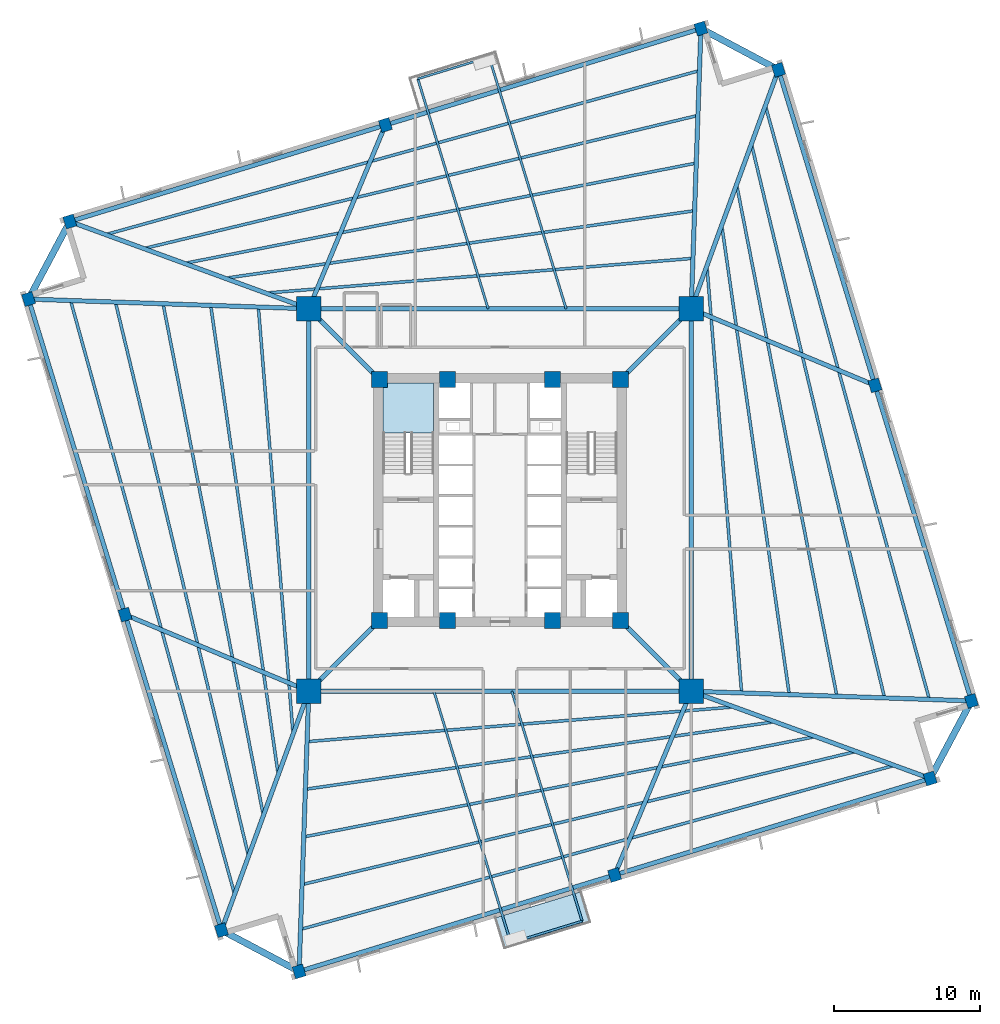
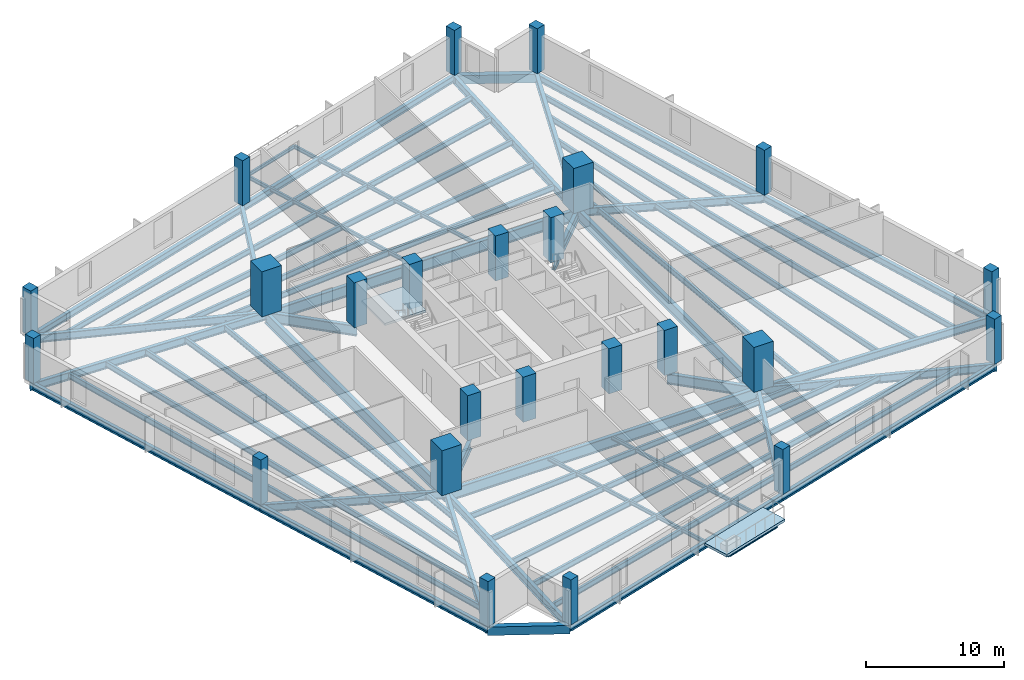
# One storey, part 1 of 8: 58 beams, 24 columns, 2 slabs, 1 element without a shape of its own.
"""IFC4 building model written with IfcOpenShell, lengths in metres."""

from ifc_helpers import new_model, si_unit, direction, frame, origin, origin_2d, place, context, subcontext, project, spatial, polyline, rectangle, i_section, outline, extrude, source, transform, mapped, material, layer, layer_set, material_profile, profile_set, type_object, element, aggregate, save


model = new_model("IFC4")

# Units and contexts
model_context = context("Model", 3, precision=1e-05, world=origin(), true_north=direction((0.0, 1.0)))
body_context = subcontext(model_context, "Body", "Model", "MODEL_VIEW")
ifc_project = project(units=[si_unit("LENGTHUNIT", "METRE"), si_unit("AREAUNIT", "SQUARE_METRE"), si_unit("VOLUMEUNIT", "CUBIC_METRE"), si_unit("PLANEANGLEUNIT", "RADIAN"), si_unit("MASSUNIT", "GRAM", prefix="KILO"), si_unit("THERMODYNAMICTEMPERATUREUNIT", "KELVIN")], contexts=[model_context])

# Site, building, storey
site_placement = place(None, origin())
site = spatial("IfcSite", under=ifc_project, at=site_placement, CompositionType="ELEMENT")
building_placement = place(site_placement, origin())
building = spatial("IfcBuilding", under=site, at=building_placement, Name="Kosmvard Interchange Tower", CompositionType="ELEMENT")
storey_placement = place(building_placement, frame((0.0, 0.0, 115.199951171875)))
storey = spatial("IfcBuildingStorey", under=building, at=storey_placement, Name="L27", CompositionType="ELEMENT", Elevation=115.199951171875)

# Columns
ifc_material_1 = material(Name="Concrete C80/95", Category="concrete")
ifc_material_profile_1 = material_profile(ifc_material_1, rectangle(XDim=1.10009765625, YDim=1.10009765625, at=origin_2d()), Name="CP 1100x1100")
ifc_profile_set_1 = profile_set([ifc_material_profile_1], Name="Concrete C80/95")
column_type_1 = type_object("IfcColumnType", Name="Core Boundary Pilaster 1100x1100 C80/95", PredefinedType="PILASTER", material=ifc_profile_set_1)
shared_shape_1 = source(origin(), body_context, "Body", "SweptSolid", [
    extrude(rectangle(XDim=1.10009765625, YDim=1.10009765625, at=origin_2d()), origin(), (0.0, 0.0, 1.0), 4.0),
])
for number, where, z_axis, x_axis, name in (
    (1, (-8.25, -8.25, 0.0), (0.0, 0.0, 1.0), (1.0, 0.0, 0.0), "L27 Core Pilaster CP1"),
    (2, (8.25, -8.25, 0.0), (0.0, 0.0, 1.0), (1.0, 0.0, 0.0), "L27 Core Pilaster CP2"),
    (3, (8.25, 8.25, 0.0), (0.0, 0.0, 1.0), (1.0, 0.0, 0.0), "L27 Core Pilaster CP3"),
    (4, (-8.25, 8.25, 0.0), (0.0, 0.0, 1.0), (1.0, 0.0, 0.0), "L27 Core Pilaster CP4"),
    (5, (-3.60009765625, -8.25, 0.0), (0.0, 0.0, 1.0), (1.0, 0.0, 0.0), "L27 Core Pilaster CP5"),
    (6, (3.60009765625, -8.25, 0.0), (0.0, 0.0, 1.0), (1.0, 0.0, 0.0), "L27 Core Pilaster CP6"),
    (7, (-3.60009765625, 8.25, 0.0), (0.0, 0.0, 1.0), (1.0, 0.0, 0.0), "L27 Core Pilaster CP7"),
    (8, (3.60009765625, 8.25, 0.0), (0.0, 0.0, 1.0), (1.0, 0.0, 0.0), "L27 Core Pilaster CP8"),
):
    element("IfcColumn", number, at=place(storey_placement, frame(where, z_axis=z_axis, x_axis=x_axis)), inside=storey, type_object=column_type_1, Name=name, PredefinedType="PILASTER", context=body_context, shape_type="MappedRepresentation", body=[
        mapped(shared_shape_1, transform((0.0, 0.0, 0.0), scale=1.0)),
    ])
ifc_material_2 = material(Name="Concrete C70/85", Category="concrete")
ifc_material_profile_2 = material_profile(ifc_material_2, rectangle(XDim=1.64990234375, YDim=1.64990234375, at=origin_2d()), Name="MC 1650x1650")
ifc_profile_set_2 = profile_set([ifc_material_profile_2], Name="Concrete C70/85")
column_type_2 = type_object("IfcColumnType", Name="Composite Mega-Column 1650x1650 C70/85", PredefinedType="COLUMN", material=ifc_profile_set_2)
shared_shape_2 = source(origin(), body_context, "Body", "SweptSolid", [
    extrude(rectangle(XDim=1.64990234375, YDim=1.64990234375, at=origin_2d()), origin(), (0.0, 0.0, 1.0), 4.0),
])
for number, where, z_axis, x_axis, name in (
    (9, (-13.0810546875, -13.0810546875, 0.0), (0.0, 0.0, 1.0), (1.0, 0.0, 0.0), "L27 Corner Mega-Column MC1"),
    (10, (13.0810546875, -13.0810546875, 0.0), (0.0, 0.0, 1.0), (1.0, 0.0, 0.0), "L27 Corner Mega-Column MC2"),
    (11, (13.0810546875, 13.0810546875, 0.0), (0.0, 0.0, 1.0), (1.0, 0.0, 0.0), "L27 Corner Mega-Column MC3"),
    (12, (-13.0810546875, 13.0810546875, 0.0), (0.0, 0.0, 1.0), (1.0, 0.0, 0.0), "L27 Corner Mega-Column MC4"),
):
    element("IfcColumn", number, at=place(storey_placement, frame(where, z_axis=z_axis, x_axis=x_axis)), inside=storey, type_object=column_type_2, Name=name, PredefinedType="COLUMN", context=body_context, shape_type="MappedRepresentation", body=[
        mapped(shared_shape_2, transform((0.0, 0.0, 0.0), scale=1.0)),
    ])
ifc_material_3 = material(Name="Concrete C60/75", Category="concrete")
ifc_material_profile_3 = material_profile(ifc_material_3, rectangle(XDim=0.75, YDim=0.85009765625, at=origin_2d()), Name="TC 850x750")
ifc_profile_set_3 = profile_set([ifc_material_profile_3], Name="Concrete C60/75")
column_type_3 = type_object("IfcColumnType", Name="Zone 2 Perimeter Pier Column 850x750 C60/75", PredefinedType="COLUMN", material=ifc_profile_set_3)
shared_shape_3 = source(origin(), body_context, "Body", "SweptSolid", [
    extrude(rectangle(XDim=0.75, YDim=0.85009765625, at=origin_2d()), origin(), (0.0, 0.0, 1.0), 4.0),
])
for number, where, z_axis, x_axis, name in (
    (13, (-13.74560546875, -32.253173828125, 0.0), (0.0, 0.0, 1.0), (0.956304755963, 0.292371704723, 0.0), "L27 Perimeter Pier Column TC-S1"),
    (14, (7.8427734375, -25.65283203125, 0.0), (0.0, 0.0, 1.0), (0.956304755963, 0.292371704723, 0.0), "L27 Perimeter Pier Column TC-S2"),
    (15, (29.431396484375, -19.052490234375, 0.0), (0.0, 0.0, 1.0), (0.956304755963, 0.292371704723, 0.0), "L27 Perimeter Pier Column TC-S3"),
    (16, (32.253173828125, -13.74560546875, 0.0), (0.0, 0.0, 1.0), (0.956304755963, 0.292371704723, 0.0), "L27 Perimeter Pier Column TC-E1"),
    (17, (25.65283203125, 7.8427734375, 0.0), (0.0, 0.0, 1.0), (0.956304755963, 0.292371704723, 0.0), "L27 Perimeter Pier Column TC-E2"),
    (18, (19.052490234375, 29.431396484375, 0.0), (0.0, 0.0, 1.0), (0.956304755963, 0.292371704723, 0.0), "L27 Perimeter Pier Column TC-E3"),
    (19, (13.74560546875, 32.253173828125, 0.0), (0.0, 0.0, 1.0), (0.956304755963, 0.292371704723, 0.0), "L27 Perimeter Pier Column TC-N1"),
    (20, (-7.8427734375, 25.65283203125, 0.0), (0.0, 0.0, 1.0), (0.956304755963, 0.292371704723, 0.0), "L27 Perimeter Pier Column TC-N2"),
    (21, (-29.431396484375, 19.052490234375, 0.0), (0.0, 0.0, 1.0), (0.956304755963, 0.292371704723, 0.0), "L27 Perimeter Pier Column TC-N3"),
    (22, (-32.253173828125, 13.74560546875, 0.0), (0.0, 0.0, 1.0), (0.956304755963, 0.292371704723, 0.0), "L27 Perimeter Pier Column TC-W1"),
    (23, (-25.65283203125, -7.8427734375, 0.0), (0.0, 0.0, 1.0), (0.956304755963, 0.292371704723, 0.0), "L27 Perimeter Pier Column TC-W2"),
    (24, (-19.052490234375, -29.431396484375, 0.0), (0.0, 0.0, 1.0), (0.956304755963, 0.292371704723, 0.0), "L27 Perimeter Pier Column TC-W3"),
):
    element("IfcColumn", number, at=place(storey_placement, frame(where, z_axis=z_axis, x_axis=x_axis)), inside=storey, type_object=column_type_3, Name=name, PredefinedType="COLUMN", context=body_context, shape_type="MappedRepresentation", body=[
        mapped(shared_shape_3, transform((0.0, 0.0, 0.0), scale=1.0)),
    ])

# Beams
ifc_material_4 = material(Name="Steel S460", Category="steel")
ifc_material_profile_4 = material_profile(ifc_material_4, i_section(OverallWidth=0.30810546875, OverallDepth=0.909912109375, WebThickness=0.02099609375, FlangeThickness=0.0400390625, FilletRadius=0.027099609375, at=origin_2d()), Name="HEM 900")
ifc_profile_set_4 = profile_set([ifc_material_profile_4], Name="Steel S460")
beam_type_1 = type_object("IfcBeamType", Name="Primary Mega-Frame Girder HEM 900 S460", PredefinedType="BEAM", material=ifc_profile_set_4)
shared_shape_4 = source(origin(), body_context, "Body", "SweptSolid", [
    extrude(i_section(OverallWidth=0.30810546875, OverallDepth=0.909912109375, WebThickness=0.02099609375, FlangeThickness=0.0400390625, FilletRadius=0.027099609375, at=origin_2d()), origin(), (0.0, 0.0, 1.0), 6.83203125),
])
for number, where, z_axis, x_axis, name in (
    (25, (-8.25, -8.25, -0.71484375), (-0.707106781187, -0.707106781187, 0.0), (0.707106781187, -0.707106781187, 0.0), "L27 Radial Mega-Frame Girder 1"),
    (26, (8.25, -8.25, -0.71484375), (0.707106781187, -0.707106781187, 0.0), (0.707106781187, 0.707106781187, 0.0), "L27 Radial Mega-Frame Girder 2"),
    (27, (8.25, 8.25, -0.71484375), (0.707106781187, 0.707106781187, 0.0), (-0.707106781187, 0.707106781187, 0.0), "L27 Radial Mega-Frame Girder 3"),
    (28, (-8.25, 8.25, -0.71484375), (-0.707106781187, 0.707106781187, 0.0), (-0.707106781187, -0.707106781187, 0.0), "L27 Radial Mega-Frame Girder 4"),
):
    element("IfcBeam", number, at=place(storey_placement, frame(where, z_axis=z_axis, x_axis=x_axis)), inside=storey, type_object=beam_type_1, Name=name, PredefinedType="BEAM", context=body_context, shape_type="MappedRepresentation", body=[
        mapped(shared_shape_4, transform((0.0, 0.0, 0.0), scale=1.0)),
    ])
ifc_material_profile_5 = material_profile(ifc_material_4, i_section(OverallWidth=0.30908203125, OverallDepth=1.008056640625, WebThickness=0.02099609375, FlangeThickness=0.0400390625, FilletRadius=0.030029296875, at=origin_2d()), Name="HEM 1000")
ifc_profile_set_5 = profile_set([ifc_material_profile_5], Name="Steel S460")
beam_type_2 = type_object("IfcBeamType", Name="Mega-Column Ring Girder HEM 1000 S460", PredefinedType="BEAM", material=ifc_profile_set_5)
shared_shape_5 = source(origin(), body_context, "Body", "SweptSolid", [
    extrude(i_section(OverallWidth=0.30908203125, OverallDepth=1.008056640625, WebThickness=0.02099609375, FlangeThickness=0.0400390625, FilletRadius=0.030029296875, at=origin_2d()), origin(), (0.0, 0.0, 1.0), 26.162109375),
])
for number, where, z_axis, x_axis, name in (
    (29, (-13.0810546875, -13.0810546875, -0.763916015625), (1.0, 0.0, 0.0), (0.0, 1.0, 0.0), "L27 Mega-Column Ring Girder 1"),
    (30, (13.0810546875, -13.0810546875, -0.763916015625), (0.0, 1.0, 0.0), (-1.0, 0.0, 0.0), "L27 Mega-Column Ring Girder 2"),
    (31, (13.0810546875, 13.0810546875, -0.763916015625), (-1.0, 0.0, 0.0), (0.0, -1.0, 0.0), "L27 Mega-Column Ring Girder 3"),
    (32, (-13.0810546875, 13.0810546875, -0.763916015625), (0.0, -1.0, 0.0), (1.0, 0.0, 0.0), "L27 Mega-Column Ring Girder 4"),
):
    element("IfcBeam", number, at=place(storey_placement, frame(where, z_axis=z_axis, x_axis=x_axis)), inside=storey, type_object=beam_type_2, Name=name, PredefinedType="BEAM", context=body_context, shape_type="MappedRepresentation", body=[
        mapped(shared_shape_5, transform((0.0, 0.0, 0.0), scale=1.0)),
    ])
ifc_material_5 = material(Name="Steel S355", Category="steel")
ifc_material_profile_6 = material_profile(ifc_material_5, i_section(OverallWidth=0.300048828125, OverallDepth=0.60009765625, WebThickness=0.015380859375, FlangeThickness=0.030029296875, FilletRadius=0.027099609375, at=origin_2d()), Name="HEB 600")
ifc_profile_set_6 = profile_set([ifc_material_profile_6], Name="Steel S355")
beam_type_3 = type_object("IfcBeamType", Name="Perimeter Tie Girder HEB 600 S355", PredefinedType="BEAM", material=ifc_profile_set_6)
shared_shape_6 = source(origin(), body_context, "Body", "SweptSolid", [
    extrude(i_section(OverallWidth=0.300048828125, OverallDepth=0.60009765625, WebThickness=0.015380859375, FlangeThickness=0.030029296875, FilletRadius=0.027099609375, at=origin_2d()), origin(), (0.0, 0.0, 1.0), 22.57470703125),
])
for number, where, z_axis, x_axis, name in (
    (33, (-13.74560546875, -32.253173828125, -0.56005859375), (0.956303368768, 0.292376241995, 0.0), (-0.292376241995, 0.956303368768, 0.0), "BM-L27-PR01"),
    (34, (32.253173828125, -13.74560546875, -0.56005859375), (-0.292376241995, 0.956303368768, 0.0), (-0.956303368768, -0.292376241995, 0.0), "BM-L27-PR04"),
    (35, (13.74560546875, 32.253173828125, -0.56005859375), (-0.956303368768, -0.292376241995, 0.0), (0.292376241995, -0.956303368768, 0.0), "BM-L27-PR07"),
    (36, (-32.253173828125, 13.74560546875, -0.56005859375), (0.292376241995, -0.956303368768, 0.0), (0.956303368768, 0.292376241995, 0.0), "BM-L27-PR10"),
):
    element("IfcBeam", number, at=place(storey_placement, frame(where, z_axis=z_axis, x_axis=x_axis)), inside=storey, type_object=beam_type_3, Name=name, PredefinedType="BEAM", context=body_context, shape_type="MappedRepresentation", body=[
        mapped(shared_shape_6, transform((0.0, 0.0, 0.0), scale=1.0)),
    ])
ifc_material_profile_7 = material_profile(ifc_material_5, i_section(OverallWidth=0.300048828125, OverallDepth=0.699951171875, WebThickness=0.01708984375, FlangeThickness=0.031982421875, FilletRadius=0.027099609375, at=origin_2d()), Name="HEB 700")
ifc_profile_set_7 = profile_set([ifc_material_profile_7], Name="Steel S355")
beam_type_4 = type_object("IfcBeamType", Name="Primary Floor Girder HEB 700 S355", PredefinedType="BEAM", material=ifc_profile_set_7)
shared_shape_7 = source(origin(), body_context, "Body", "SweptSolid", [
    extrude(i_section(OverallWidth=0.300048828125, OverallDepth=0.699951171875, WebThickness=0.01708984375, FlangeThickness=0.031982421875, FilletRadius=0.027099609375, at=origin_2d()), origin(), (0.0, 0.0, 1.0), 19.18359375),
])
for number, where, z_axis, x_axis, name in (
    (37, (-13.0810546875, -13.0810546875, -0.60986328125), (-0.034641549738, -0.999399801397, 0.0), (0.999399801397, -0.034641549738, 0.0), "BM-L27-RD01"),
    (38, (13.0810546875, -13.0810546875, -0.60986328125), (0.999399801397, -0.034641549738, 0.0), (0.034641549738, 0.999399801397, 0.0), "BM-L27-RD04"),
    (39, (13.0810546875, 13.0810546875, -0.60986328125), (0.034641549738, 0.999399801397, 0.0), (-0.999399801397, 0.034641549738, 0.0), "BM-L27-RD07"),
    (40, (-13.0810546875, 13.0810546875, -0.60986328125), (-0.999399801397, 0.034641549738, 0.0), (-0.034641549738, -0.999399801397, 0.0), "BM-L27-RD10"),
):
    element("IfcBeam", number, at=place(storey_placement, frame(where, z_axis=z_axis, x_axis=x_axis)), inside=storey, type_object=beam_type_4, Name=name, PredefinedType="BEAM", context=body_context, shape_type="MappedRepresentation", body=[
        mapped(shared_shape_7, transform((0.0, 0.0, 0.0), scale=1.0)),
    ])
shared_shape_8 = source(origin(), body_context, "Body", "SweptSolid", [
    extrude(i_section(OverallWidth=0.300048828125, OverallDepth=0.60009765625, WebThickness=0.015380859375, FlangeThickness=0.030029296875, FilletRadius=0.027099609375, at=origin_2d()), origin(), (0.0, 0.0, 1.0), 22.574951171875),
])
for number, where, z_axis, x_axis, name in (
    (41, (7.8427734375, -25.65283203125, -0.56005859375), (0.956304293239, 0.292373218222, 0.0), (-0.292373218222, 0.956304293239, 0.0), "BM-L27-PR02"),
    (42, (25.65283203125, 7.8427734375, -0.56005859375), (-0.292373218222, 0.956304293239, 0.0), (-0.956304293239, -0.292373218222, 0.0), "BM-L27-PR05"),
    (43, (-7.8427734375, 25.65283203125, -0.56005859375), (-0.956304293239, -0.292373218222, 0.0), (0.292373218222, -0.956304293239, 0.0), "BM-L27-PR08"),
    (44, (-25.65283203125, -7.8427734375, -0.56005859375), (0.292373218222, -0.956304293239, 0.0), (0.956304293239, 0.292373218222, 0.0), "BM-L27-PR11"),
):
    element("IfcBeam", number, at=place(storey_placement, frame(where, z_axis=z_axis, x_axis=x_axis)), inside=storey, type_object=beam_type_3, Name=name, PredefinedType="BEAM", context=body_context, shape_type="MappedRepresentation", body=[
        mapped(shared_shape_8, transform((0.0, 0.0, 0.0), scale=1.0)),
    ])
shared_shape_9 = source(origin(), body_context, "Body", "SweptSolid", [
    extrude(i_section(OverallWidth=0.300048828125, OverallDepth=0.699951171875, WebThickness=0.01708984375, FlangeThickness=0.031982421875, FilletRadius=0.027099609375, at=origin_2d()), origin(), (0.0, 0.0, 1.0), 13.619384765625),
])
for number, where, z_axis, x_axis, name in (
    (45, (13.0810546875, -13.0810546875, -0.60986328125), (-0.384617930303, -0.92307586237, 0.0), (0.92307586237, -0.384617930303, 0.0), "BM-L27-RD02"),
    (46, (13.0810546875, 13.0810546875, -0.60986328125), (0.92307586237, -0.384617930303, 0.0), (0.384617930303, 0.92307586237, 0.0), "BM-L27-RD05"),
    (47, (-13.0810546875, 13.0810546875, -0.60986328125), (0.384617930303, 0.92307586237, 0.0), (-0.92307586237, 0.384617930303, 0.0), "BM-L27-RD08"),
    (48, (-13.0810546875, -13.0810546875, -0.60986328125), (-0.92307586237, 0.384617930303, 0.0), (-0.384617930303, -0.92307586237, 0.0), "BM-L27-RD11"),
):
    element("IfcBeam", number, at=place(storey_placement, frame(where, z_axis=z_axis, x_axis=x_axis)), inside=storey, type_object=beam_type_4, Name=name, PredefinedType="BEAM", context=body_context, shape_type="MappedRepresentation", body=[
        mapped(shared_shape_9, transform((0.0, 0.0, 0.0), scale=1.0)),
    ])
ifc_material_6 = material(Name="Precast concrete C45/55", Category="concrete")
ifc_material_profile_8 = material_profile(ifc_material_6, rectangle(XDim=0.449951171875, YDim=0.75, at=origin_2d()), Name="SL 450x750")
ifc_profile_set_8 = profile_set([ifc_material_profile_8], Name="Precast concrete C45/55")
beam_type_5 = type_object("IfcBeamType", Name="Precast Spandrel Lintel 450x750 C45/55", PredefinedType="LINTEL", material=ifc_profile_set_8)
shared_shape_10 = source(origin(), body_context, "Body", "SweptSolid", [
    extrude(rectangle(XDim=0.449951171875, YDim=0.75, at=origin_2d()), origin(), (0.0, 0.0, 1.0), 6.010498046875),
])
for number, where, z_axis, x_axis, name in (
    (49, (29.431396484375, -19.052490234375, -0.635009765625), (0.469478912111, 0.882943685114, 0.0), (-0.882943685114, 0.469478912111, 0.0), "BM-L27-SL1"),
    (50, (19.052490234375, 29.431396484375, -0.635009765625), (-0.882943685114, 0.469478912111, 0.0), (-0.469478912111, -0.882943685114, 0.0), "BM-L27-SL2"),
    (51, (-29.431396484375, 19.052490234375, -0.635009765625), (-0.469478912111, -0.882943685114, 0.0), (0.882943685114, -0.469478912111, 0.0), "BM-L27-SL3"),
    (52, (-19.052490234375, -29.431396484375, -0.635009765625), (0.882943685114, -0.469478912111, 0.0), (0.469478912111, 0.882943685114, 0.0), "BM-L27-SL4"),
):
    element("IfcBeam", number, at=place(storey_placement, frame(where, z_axis=z_axis, x_axis=x_axis)), inside=storey, type_object=beam_type_5, Name=name, PredefinedType="LINTEL", context=body_context, shape_type="MappedRepresentation", body=[
        mapped(shared_shape_10, transform((0.0, 0.0, 0.0), scale=1.0)),
    ])
shared_shape_11 = source(origin(), body_context, "Body", "SweptSolid", [
    extrude(i_section(OverallWidth=0.300048828125, OverallDepth=0.699951171875, WebThickness=0.01708984375, FlangeThickness=0.031982421875, FilletRadius=0.027099609375, at=origin_2d()), origin(), (0.0, 0.0, 1.0), 17.40673828125),
])
for number, where, z_axis, x_axis, name in (
    (53, (13.0810546875, -13.0810546875, -0.60986328125), (0.939315429031, -0.343054696491, 0.0), (0.343054696491, 0.939315429031, 0.0), "BM-L27-RD03"),
    (54, (13.0810546875, 13.0810546875, -0.60986328125), (0.343054696491, 0.939315429031, 0.0), (-0.939315429031, 0.343054696491, 0.0), "BM-L27-RD06"),
    (55, (-13.0810546875, 13.0810546875, -0.60986328125), (-0.939315429031, 0.343054696491, 0.0), (-0.343054696491, -0.939315429031, 0.0), "BM-L27-RD09"),
    (56, (-13.0810546875, -13.0810546875, -0.60986328125), (-0.343054696491, -0.939315429031, 0.0), (0.939315429031, -0.343054696491, 0.0), "BM-L27-RD12"),
):
    element("IfcBeam", number, at=place(storey_placement, frame(where, z_axis=z_axis, x_axis=x_axis)), inside=storey, type_object=beam_type_4, Name=name, PredefinedType="BEAM", context=body_context, shape_type="MappedRepresentation", body=[
        mapped(shared_shape_11, transform((0.0, 0.0, 0.0), scale=1.0)),
    ])
ifc_material_profile_9 = material_profile(ifc_material_5, i_section(OverallWidth=0.199951171875, OverallDepth=0.5, WebThickness=0.01025390625, FlangeThickness=0.01611328125, FilletRadius=0.02099609375, at=origin_2d()), Name="IPE 500")
ifc_profile_set_9 = profile_set([ifc_material_profile_9], Name="Steel S355")
beam_type_6 = type_object("IfcBeamType", Name="Standard Floor Joist IPE 500 S355", PredefinedType="JOIST", material=ifc_profile_set_9)
shared_shape_12 = source(origin(), body_context, "Body", "SweptSolid", [
    extrude(i_section(OverallWidth=0.199951171875, OverallDepth=0.5, WebThickness=0.01025390625, FlangeThickness=0.01611328125, FilletRadius=0.02099609375, at=origin_2d()), origin(), (0.0, 0.0, 1.0), 29.1611328125),
])
for number, where, z_axis, x_axis, name in (
    (57, (-13.120849609375, -16.525390625, -0.510009765625), (0.99671134435, 0.081033919093, 0.0), (-0.081033919093, 0.99671134435, 0.0), "BM-L27-FJ01"),
    (58, (16.525390625, -13.120849609375, -0.510009765625), (-0.081033919093, 0.99671134435, 0.0), (-0.99671134435, -0.081033919093, 0.0), "BM-L27-FJ06"),
    (59, (13.120849609375, 16.525390625, -0.510009765625), (-0.99671134435, -0.081033919093, 0.0), (0.081033919093, -0.99671134435, 0.0), "BM-L27-FJ11"),
    (60, (-16.525390625, 13.120849609375, -0.510009765625), (0.081033919093, -0.99671134435, 0.0), (0.99671134435, 0.081033919093, 0.0), "BM-L27-FJ16"),
):
    element("IfcBeam", number, at=place(storey_placement, frame(where, z_axis=z_axis, x_axis=x_axis)), inside=storey, type_object=beam_type_6, Name=name, PredefinedType="JOIST", context=body_context, shape_type="MappedRepresentation", body=[
        mapped(shared_shape_12, transform((0.0, 0.0, 0.0), scale=1.0)),
    ])
shared_shape_13 = source(origin(), body_context, "Body", "SweptSolid", [
    extrude(i_section(OverallWidth=0.199951171875, OverallDepth=0.5, WebThickness=0.01025390625, FlangeThickness=0.01611328125, FilletRadius=0.02099609375, at=origin_2d()), origin(), (0.0, 0.0, 1.0), 32.287841796875),
])
for number, where, z_axis, x_axis, name in (
    (61, (-13.234375, -19.77978515625, -0.510009765625), (0.989810798314, 0.142388846268, 0.0), (-0.142388846268, 0.989810798314, 0.0), "BM-L27-FJ02"),
    (62, (19.77978515625, -13.234375, -0.510009765625), (-0.142388846268, 0.989810798314, 0.0), (-0.989810798314, -0.142388846268, 0.0), "BM-L27-FJ07"),
    (63, (13.234375, 19.77978515625, -0.510009765625), (-0.989810798314, -0.142388846268, 0.0), (0.142388846268, -0.989810798314, 0.0), "BM-L27-FJ12"),
    (64, (-19.77978515625, 13.234375, -0.510009765625), (0.142388846268, -0.989810798314, 0.0), (0.989810798314, 0.142388846268, 0.0), "BM-L27-FJ17"),
):
    element("IfcBeam", number, at=place(storey_placement, frame(where, z_axis=z_axis, x_axis=x_axis)), inside=storey, type_object=beam_type_6, Name=name, PredefinedType="JOIST", context=body_context, shape_type="MappedRepresentation", body=[
        mapped(shared_shape_13, transform((0.0, 0.0, 0.0), scale=1.0)),
    ])
shared_shape_14 = source(origin(), body_context, "Body", "SweptSolid", [
    extrude(i_section(OverallWidth=0.199951171875, OverallDepth=0.5, WebThickness=0.01025390625, FlangeThickness=0.01611328125, FilletRadius=0.02099609375, at=origin_2d()), origin(), (0.0, 0.0, 1.0), 35.516357421875),
])
for number, where, z_axis, x_axis, name in (
    (65, (-13.34814453125, -23.03515625, -0.510009765625), (0.981315785618, 0.192404077134, 0.0), (-0.192404077134, 0.981315785618, 0.0), "BM-L27-FJ03"),
    (66, (23.03515625, -13.34814453125, -0.510009765625), (-0.192404077134, 0.981315785618, 0.0), (-0.981315785618, -0.192404077134, 0.0), "BM-L27-FJ08"),
    (67, (13.34814453125, 23.03515625, -0.510009765625), (-0.981315785618, -0.192404077134, 0.0), (0.192404077134, -0.981315785618, 0.0), "BM-L27-FJ13"),
    (68, (-23.03515625, 13.34814453125, -0.510009765625), (0.192404077134, -0.981315785618, 0.0), (0.981315785618, 0.192404077134, 0.0), "BM-L27-FJ18"),
):
    element("IfcBeam", number, at=place(storey_placement, frame(where, z_axis=z_axis, x_axis=x_axis)), inside=storey, type_object=beam_type_6, Name=name, PredefinedType="JOIST", context=body_context, shape_type="MappedRepresentation", body=[
        mapped(shared_shape_14, transform((0.0, 0.0, 0.0), scale=1.0)),
    ])
shared_shape_15 = source(origin(), body_context, "Body", "SweptSolid", [
    extrude(i_section(OverallWidth=0.199951171875, OverallDepth=0.5, WebThickness=0.01025390625, FlangeThickness=0.01611328125, FilletRadius=0.02099609375, at=origin_2d()), origin(), (0.0, 0.0, 1.0), 38.821533203125),
])
for number, where, z_axis, x_axis, name in (
    (69, (-13.4619140625, -26.291015625, -0.510009765625), (0.972318244358, 0.233660505198, 0.0), (-0.233660505198, 0.972318244358, 0.0), "BM-L27-FJ04"),
    (70, (26.291015625, -13.4619140625, -0.510009765625), (-0.233660505198, 0.972318244358, 0.0), (-0.972318244358, -0.233660505198, 0.0), "BM-L27-FJ09"),
    (71, (13.4619140625, 26.291015625, -0.510009765625), (-0.972318244358, -0.233660505198, 0.0), (0.233660505198, -0.972318244358, 0.0), "BM-L27-FJ14"),
    (72, (-26.291015625, 13.4619140625, -0.510009765625), (0.233660505198, -0.972318244358, 0.0), (0.972318244358, 0.233660505198, 0.0), "BM-L27-FJ19"),
):
    element("IfcBeam", number, at=place(storey_placement, frame(where, z_axis=z_axis, x_axis=x_axis)), inside=storey, type_object=beam_type_6, Name=name, PredefinedType="JOIST", context=body_context, shape_type="MappedRepresentation", body=[
        mapped(shared_shape_15, transform((0.0, 0.0, 0.0), scale=1.0)),
    ])
shared_shape_16 = source(origin(), body_context, "Body", "SweptSolid", [
    extrude(i_section(OverallWidth=0.199951171875, OverallDepth=0.5, WebThickness=0.01025390625, FlangeThickness=0.01611328125, FilletRadius=0.02099609375, at=origin_2d()), origin(), (0.0, 0.0, 1.0), 41.98583984375),
])
for number, where, z_axis, x_axis, name in (
    (73, (-13.56884765625, -29.35595703125, -0.510009765625), (0.96391074105, 0.266225624778, 0.0), (-0.266225624778, 0.96391074105, 0.0), "BM-L27-FJ05"),
    (74, (29.35595703125, -13.56884765625, -0.510009765625), (-0.266225624778, 0.96391074105, 0.0), (-0.96391074105, -0.266225624778, 0.0), "BM-L27-FJ10"),
    (75, (13.56884765625, 29.35595703125, -0.510009765625), (-0.96391074105, -0.266225624778, 0.0), (0.266225624778, -0.96391074105, 0.0), "BM-L27-FJ15"),
    (76, (-29.35595703125, 13.56884765625, -0.510009765625), (0.266225624778, -0.96391074105, 0.0), (0.96391074105, 0.266225624778, 0.0), "BM-L27-FJ20"),
):
    element("IfcBeam", number, at=place(storey_placement, frame(where, z_axis=z_axis, x_axis=x_axis)), inside=storey, type_object=beam_type_6, Name=name, PredefinedType="JOIST", context=body_context, shape_type="MappedRepresentation", body=[
        mapped(shared_shape_16, transform((0.0, 0.0, 0.0), scale=1.0)),
    ])
ifc_material_profile_10 = material_profile(ifc_material_5, i_section(OverallWidth=0.159912109375, OverallDepth=0.330078125, WebThickness=0.007568359375, FlangeThickness=0.011474609375, FilletRadius=0.01806640625, at=origin_2d()), Name="IPE 330")
ifc_profile_set_10 = profile_set([ifc_material_profile_10], Name="Steel S355")
beam_type_7 = type_object("IfcBeamType", Name="Balcony Cantilever Joist IPE 330 S355", PredefinedType="JOIST", material=ifc_profile_set_10)
shared_shape_17 = source(origin(), body_context, "Body", "SweptSolid", [
    extrude(i_section(OverallWidth=0.159912109375, OverallDepth=0.330078125, WebThickness=0.007568359375, FlangeThickness=0.011474609375, FilletRadius=0.01806640625, at=origin_2d()), origin(), (0.0, 0.0, 1.0), 18.012939453125),
])
for number, where, z_axis, x_axis, name in (
    (77, (4.523193359375, 13.0810546875, -0.425048828125), (-0.292378649758, 0.956302632625, 0.0), (-0.956302632625, -0.292378649758, 0.0), "BM-L27-BJ1"),
    (78, (-4.523193359375, -13.0810546875, -0.425048828125), (0.292378649758, -0.956302632625, 0.0), (0.956302632625, 0.292378649758, 0.0), "BM-L27-BJ2"),
):
    element("IfcBeam", number, at=place(storey_placement, frame(where, z_axis=z_axis, x_axis=x_axis)), inside=storey, type_object=beam_type_7, Name=name, PredefinedType="JOIST", context=body_context, shape_type="MappedRepresentation", body=[
        mapped(shared_shape_17, transform((0.0, 0.0, 0.0), scale=1.0)),
    ])
shared_shape_18 = source(origin(), body_context, "Body", "SweptSolid", [
    extrude(i_section(OverallWidth=0.159912109375, OverallDepth=0.330078125, WebThickness=0.007568359375, FlangeThickness=0.011474609375, FilletRadius=0.01806640625, at=origin_2d()), origin(), (0.0, 0.0, 1.0), 16.453857421875),
])
for number, where, z_axis, x_axis, name in (
    (79, (-0.809814453125, 13.0810546875, -0.425048828125), (-0.292380627761, 0.956302027871, 0.0), (-0.956302027871, -0.292380627761, 0.0), "BM-L27-BJB1"),
    (80, (0.809814453125, -13.0810546875, -0.425048828125), (0.292380627761, -0.956302027871, 0.0), (0.956302027871, 0.292380627761, 0.0), "BM-L27-BJB2"),
):
    element("IfcBeam", number, at=place(storey_placement, frame(where, z_axis=z_axis, x_axis=x_axis)), inside=storey, type_object=beam_type_7, Name=name, PredefinedType="JOIST", context=body_context, shape_type="MappedRepresentation", body=[
        mapped(shared_shape_18, transform((0.0, 0.0, 0.0), scale=1.0)),
    ])
ifc_material_profile_11 = material_profile(ifc_material_5, i_section(OverallWidth=0.14990234375, OverallDepth=0.300048828125, WebThickness=0.007080078125, FlangeThickness=0.0107421875, FilletRadius=0.014892578125, at=origin_2d()), Name="IPE 300")
ifc_profile_set_11 = profile_set([ifc_material_profile_11], Name="Steel S355")
beam_type_8 = type_object("IfcBeamType", Name="Balcony Edge Header Joist IPE 300 S355", PredefinedType="JOIST", material=ifc_profile_set_11)
shared_shape_19 = source(origin(), body_context, "Body", "SweptSolid", [
    extrude(i_section(OverallWidth=0.14990234375, OverallDepth=0.300048828125, WebThickness=0.007080078125, FlangeThickness=0.0107421875, FilletRadius=0.014892578125, at=origin_2d()), origin(), (0.0, 0.0, 1.0), 5.10009765625),
])
for number, where, z_axis, x_axis, name in (
    (81, (-0.743408203125, 30.306884765625, -0.409912109375), (-0.956312543024, -0.292346233181, 0.0), (0.292346233181, -0.956312543024, 0.0), "BM-L27-BJH1"),
    (82, (0.743408203125, -30.306884765625, -0.409912109375), (0.956312543024, 0.292346233181, 0.0), (-0.292346233181, 0.956312543024, 0.0), "BM-L27-BJH2"),
):
    element("IfcBeam", number, at=place(storey_placement, frame(where, z_axis=z_axis, x_axis=x_axis)), inside=storey, type_object=beam_type_8, Name=name, PredefinedType="JOIST", context=body_context, shape_type="MappedRepresentation", body=[
        mapped(shared_shape_19, transform((0.0, 0.0, 0.0), scale=1.0)),
    ])

# Stair, slab
ifc_material_7 = material(Name="Concrete C50/60", Category="concrete")
stair_type = type_object("IfcStairType", Name="Dog-Leg Core Exit Stair H4000 C50/60", PredefinedType="HALF_TURN_STAIR", material=ifc_material_7)
stair_placement = place(storey_placement, origin())
stair = element("IfcStair", 83, at=stair_placement, inside=storey, type_object=stair_type, Name="L27 Protected Exit Stair ST-1", PredefinedType="HALF_TURN_STAIR")
ifc_layer_1 = layer(ifc_material_7, 0.199951171875, Name="Concrete C50/60")
ifc_layer_set_1 = layer_set([ifc_layer_1], Name="Concrete C50/60")
slab_type_1 = type_object("IfcSlabType", Name="Stair Half-Landing Slab 200 C50/60", PredefinedType="LANDING", material=ifc_layer_set_1)
slab_1_placement = place(storey_placement, frame((0.0, 0.0, 1.800048828125)))
slab_1 = element("IfcSlab", 84, at=slab_1_placement, type_object=slab_type_1, Name="ST-1 landing 1", PredefinedType="LANDING", context=body_context, shape_type="SweptSolid", body=[
    extrude(outline(polyline([(-4.5400390625, 4.60009765625), (-4.5400390625, 8.0), (-8.0, 8.0), (-8.0, 4.60009765625), (-4.5400390625, 4.60009765625)])), origin(), (0.0, 0.0, 1.0), 0.199951171875),
])
aggregate(stair, [slab_1])

# Slab
ifc_layer_2 = layer(ifc_material_7, 0.22998046875, Name="Concrete C50/60")
ifc_layer_set_2 = layer_set([ifc_layer_2], Name="Concrete C50/60")
slab_type_2 = type_object("IfcSlabType", Name="Tree-Planter Cantilever Balcony Slab 230 C50/60", PredefinedType="FLOOR", material=ifc_layer_set_2)
slab_2_placement = place(storey_placement, frame((0.0, 0.0, -0.22998046875)))
element("IfcSlab", 85, at=slab_2_placement, inside=storey, type_object=slab_type_2, Name="L27 Outdoor Terrace Balcony Slab BAL-L27-S", PredefinedType="FLOOR", context=body_context, shape_type="SweptSolid", body=[
    extrude(outline(polyline([(0.29052734375, -30.706787109375), (6.219482421875, -28.89404296875), (5.576416015625, -26.790283203125), (-0.352783203125, -28.60302734375), (0.29052734375, -30.706787109375)])), origin(), (0.0, 0.0, 1.0), 0.22998046875),
])

save(model, "model.ifc")
